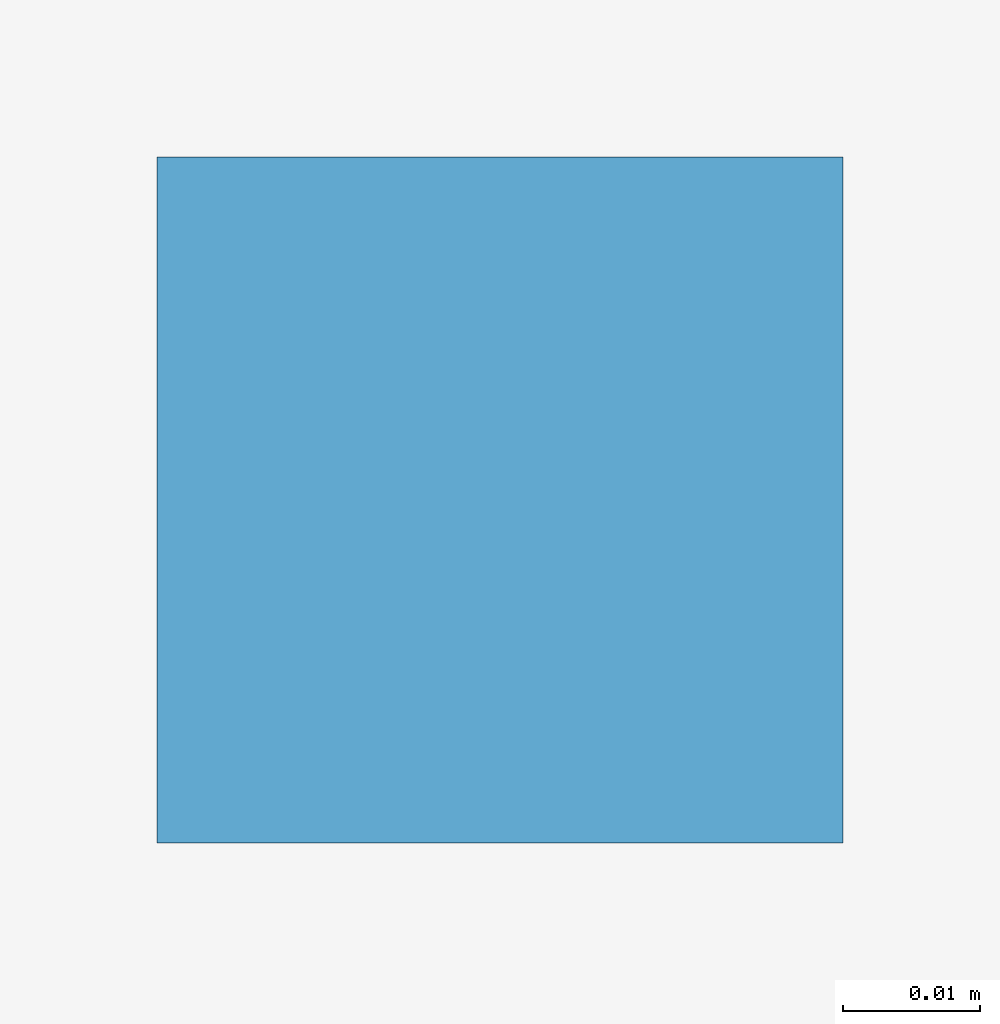
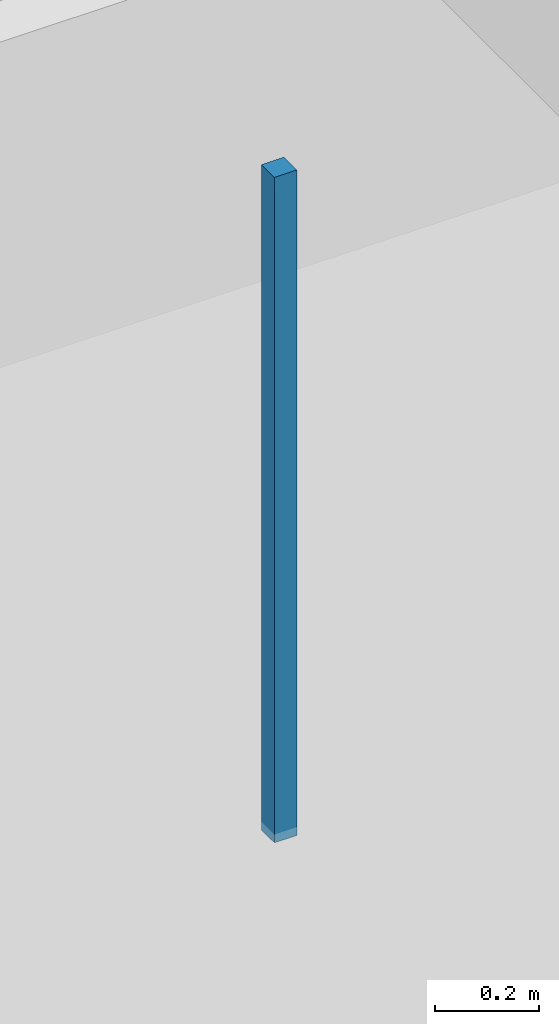
# One storey, part 43 of 54: 1 discrete accessory.
"""IFC4 building model written with IfcOpenShell, lengths in metres."""

from ifc_helpers import new_model, si_unit, direction, frame, origin, origin_2d, place, context, subcontext, project, spatial, rectangle, extrude, material, type_object, element, save


model = new_model("IFC4")

# Units and contexts
model_context = context("Model", 3, precision=1e-05, world=origin(), true_north=direction((0.0, 1.0)))
body_context = subcontext(model_context, "Body", "Model", "MODEL_VIEW")
ifc_project = project(units=[si_unit("LENGTHUNIT", "METRE"), si_unit("AREAUNIT", "SQUARE_METRE"), si_unit("VOLUMEUNIT", "CUBIC_METRE"), si_unit("PLANEANGLEUNIT", "RADIAN"), si_unit("MASSUNIT", "GRAM", prefix="KILO")], contexts=[model_context])

# Site, building, storey
site_placement = place(None, origin())
site = spatial("IfcSite", under=ifc_project, at=site_placement, CompositionType="ELEMENT")
building_placement = place(site_placement, origin())
building = spatial("IfcBuilding", under=site, at=building_placement, Name="Kazehaya Institute of Natural Sciences", CompositionType="ELEMENT")
storey_placement = place(building_placement, frame((0.0, 0.0, 5.39990234375)))
storey = spatial("IfcBuildingStorey", under=building, at=storey_placement, Name="L01", CompositionType="ELEMENT", Elevation=5.39990234375)

# Discrete accessory
ifc_material = material(Name="Structural steel SN490B", Category="steel")
discrete_accessory_type = type_object("IfcDiscreteAccessoryType", Name="ACC-CLG-HGR", PredefinedType="BRACKET", material=ifc_material)
discrete_accessory_placement = place(storey_placement, frame((96.300048828125, 88.675048828125, 3.392578125), z_axis=(0.0, 0.0, 1.0), x_axis=(1.0, 0.0, 0.0)))
element("IfcDiscreteAccessory", 1, at=discrete_accessory_placement, inside=storey, type_object=discrete_accessory_type, Name="L01 ceiling suspension hanger 23", PredefinedType="BRACKET", context=body_context, shape_type="SweptSolid", body=[
    extrude(rectangle(XDim=0.050048828125, YDim=0.050048828125, at=origin_2d()), origin(), (0.0, 0.0, 1.0), 1.5673828125),
])

save(model, "model.ifc")
